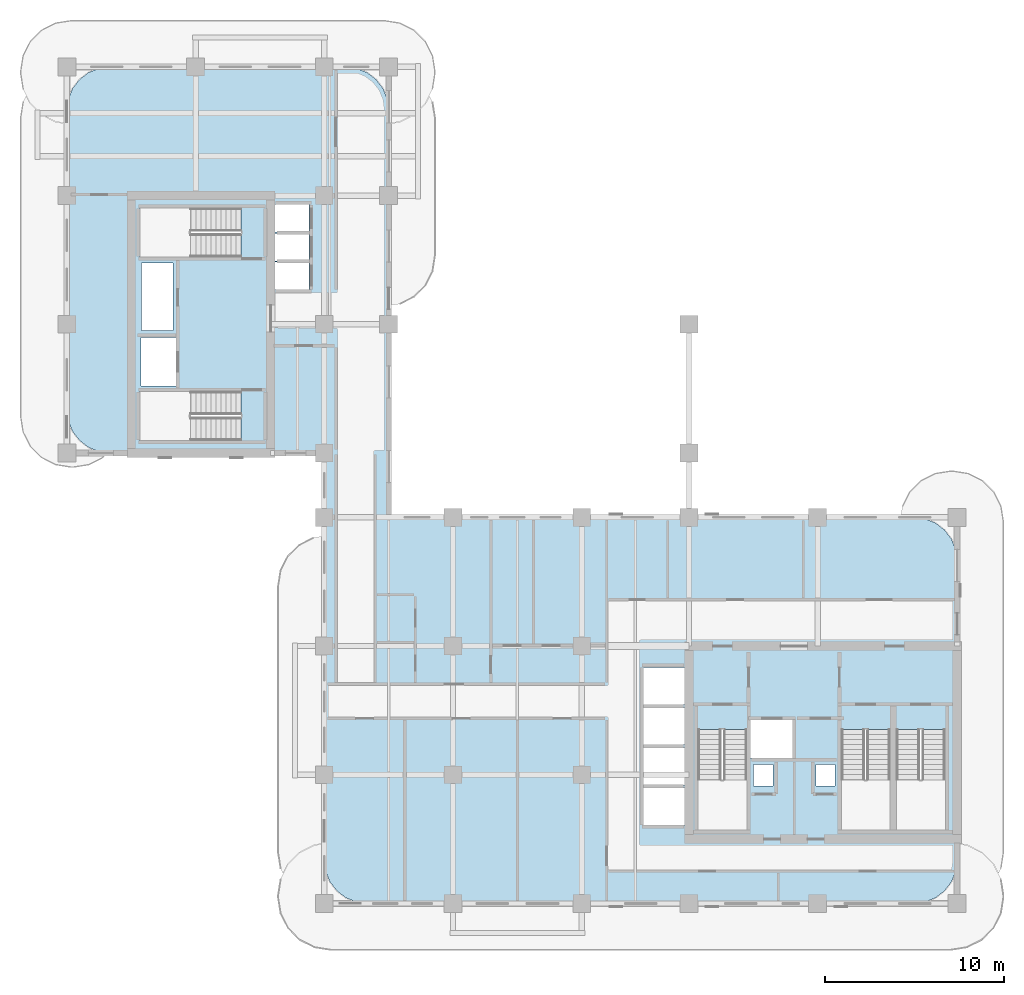
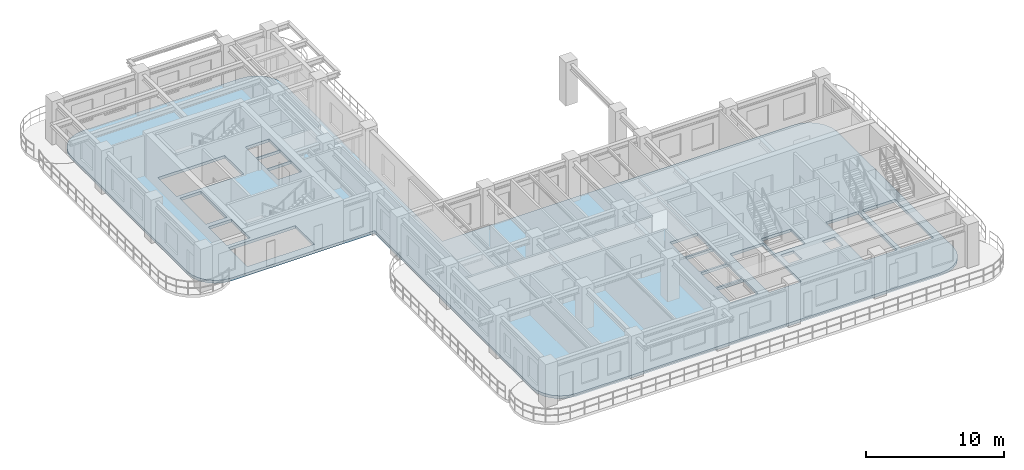
# One storey, part 3 of 15: 1 slab.
"""IFC4 building model written with IfcOpenShell, lengths in metres."""

import ifcopenshell
import ifcopenshell.guid

model = None  # the IFC model being written
_history = None  # IfcOwnerHistory: only IFC2X3 demands one
_inside = {}  # id of a spatial element -> (the spatial element, [elements in it])
_under = {}  # id of a project, library or spatial element -> (it, [spatial elements below it])
_declared = {}  # id of a project -> (the project, [libraries it declares])
_typed = {}  # id of a type object -> (the type object, [elements of that type])
_made_of = {}  # id of a material, layer set ... -> (it, [elements and type objects made of it])


def new_model(schema):
    """Start an empty IFC model of exactly this schema.

    Asked for "IFC4X3", IfcOpenShell would pick the latest addendum, in which some entities
    have other attributes; the version numbers below select the first issue.
    IFC2X3 requires an IfcOwnerHistory on every rooted entity: one is made here for all.
    """
    global model, _history
    if schema == "IFC4X3":
        model = ifcopenshell.file(schema_version=(4, 3, 0, 0))
    else:
        model = ifcopenshell.file(schema=schema)
    _inside.clear()
    _under.clear()
    _declared.clear()
    _typed.clear()
    _made_of.clear()
    _history = None
    if model.schema == "IFC2X3":
        org = make("IfcOrganization", Name="unknown")
        user = make(
            "IfcPersonAndOrganization",
            ThePerson=make("IfcPerson", FamilyName="unknown"),
            TheOrganization=org,
        )
        app = make(
            "IfcApplication",
            ApplicationDeveloper=org,
            Version="unknown",
            ApplicationFullName="unknown",
            ApplicationIdentifier="unknown",
        )
        _history = make(
            "IfcOwnerHistory",
            OwningUser=user,
            OwningApplication=app,
            ChangeAction="ADDED",
            CreationDate=0,
        )
    return model


def make(cls, **values):
    """One entity of the class cls with the attributes given. An attribute that is None is left unset."""
    return model.create_entity(
        cls, **{name: value for name, value in values.items() if value is not None}
    )


def rooted(cls, **values):
    """An entity with a GlobalId (a new one), such as an element, a storey or a relation."""
    return make(cls, GlobalId=ifcopenshell.guid.new(), OwnerHistory=_history, **values)


def si_unit(unit_type, name, prefix=None):
    """IfcSIUnit, for example si_unit("LENGTHUNIT", "METRE", prefix="MILLI")."""
    return make("IfcSIUnit", UnitType=unit_type, Prefix=prefix, Name=name)


def derived_unit(unit_type, elements):
    """IfcDerivedUnit: a product of units, each with its exponent."""
    return make(
        "IfcDerivedUnit",
        Elements=[
            make("IfcDerivedUnitElement", Unit=unit, Exponent=power)
            for unit, power in elements
        ],
        UnitType=unit_type,
    )


def assignment(units):
    """IfcUnitAssignment: the units of a project."""
    return None if units is None else make("IfcUnitAssignment", Units=units)


def point(xyz):
    """IfcCartesianPoint."""
    return None if xyz is None else make("IfcCartesianPoint", Coordinates=xyz)


def direction(xyz):
    """IfcDirection."""
    return None if xyz is None else make("IfcDirection", DirectionRatios=xyz)


def frame(location, z_axis=None, x_axis=None):
    """IfcAxis2Placement3D, a coordinate frame: its origin and axes. An axis left out is left unset."""
    return make(
        "IfcAxis2Placement3D",
        Location=point(location),
        Axis=direction(z_axis),
        RefDirection=direction(x_axis),
    )


def origin():
    """The frame at (0, 0, 0) with its axes left unset."""
    return frame((0.0, 0.0, 0.0))


def place(relative_to, where):
    """IfcLocalPlacement: puts the frame where relative to a parent placement (None: the world)."""
    return make(
        "IfcLocalPlacement", PlacementRelTo=relative_to, RelativePlacement=where
    )


def context(
    kind, dimensions, precision=None, world=None, true_north=None, identifier=None
):
    """IfcGeometricRepresentationContext, for example the 3D "Model" context."""
    return make(
        "IfcGeometricRepresentationContext",
        ContextIdentifier=identifier,
        ContextType=kind,
        CoordinateSpaceDimension=dimensions,
        Precision=precision,
        WorldCoordinateSystem=world,
        TrueNorth=true_north,
    )


def subcontext(parent, identifier, kind, view, scale=None):
    """IfcGeometricRepresentationSubContext, for example "Body" below "Model"."""
    return make(
        "IfcGeometricRepresentationSubContext",
        ContextIdentifier=identifier,
        ContextType=kind,
        ParentContext=parent,
        TargetScale=scale,
        TargetView=view,
    )


def project(units=None, contexts=None):
    """IfcProject with its units and contexts."""
    return rooted(
        "IfcProject",
        Name="project",
        RepresentationContexts=contexts,
        UnitsInContext=assignment(units),
    )


def spatial(cls, under=None, at=None, **own):
    """A site, building, storey or space (cls), placed at a placement, below another one or the project."""
    s = rooted(cls, ObjectPlacement=at, **own)
    if under is not None:
        _under.setdefault(under.id(), (under, []))[1].append(s)
    return s


def polyline(points):
    """IfcPolyline through the points."""
    return make("IfcPolyline", Points=[point(p) for p in points])


def outline(outer, holes=None, kind="AREA"):
    """IfcArbitraryClosedProfileDef: a profile drawn as a closed curve; with holes, ...WithVoids."""
    if holes is None:
        return make("IfcArbitraryClosedProfileDef", ProfileType=kind, OuterCurve=outer)
    return make(
        "IfcArbitraryProfileDefWithVoids",
        ProfileType=kind,
        OuterCurve=outer,
        InnerCurves=holes,
    )


def extrude(swept, where, along, depth):
    """IfcExtrudedAreaSolid: the profile swept, set in the frame where, extruded along a direction by depth."""
    return make(
        "IfcExtrudedAreaSolid",
        SweptArea=swept,
        Position=where,
        ExtrudedDirection=direction(along),
        Depth=depth,
    )


def shape(context_of_items, identifier, shape_type, items):
    """IfcShapeRepresentation: the items that make up one representation, for example the "Body"."""
    return make(
        "IfcShapeRepresentation",
        ContextOfItems=context_of_items,
        RepresentationIdentifier=identifier,
        RepresentationType=shape_type,
        Items=items,
    )


def material(Name=None, Category=None):
    """IfcMaterial."""
    return make("IfcMaterial", Name=Name, Category=Category)


def layer(
    of_material, thickness, ventilated=None, Name=None, Category=None, Priority=None
):
    """IfcMaterialLayer: one layer of a wall or slab, of a material (None: an air gap)."""
    return make(
        "IfcMaterialLayer",
        Material=of_material,
        LayerThickness=thickness,
        IsVentilated=ventilated,
        Name=Name,
        Category=Category,
        Priority=Priority,
    )


def layer_set(layers, Name=None):
    """IfcMaterialLayerSet."""
    return make("IfcMaterialLayerSet", MaterialLayers=layers, LayerSetName=Name)


def made_of(thing, what):
    """Note that an element or type object is made of a material, layer set ...; save() writes the relation."""
    if what is not None:
        _made_of.setdefault(what.id(), (what, []))[1].append(thing)
    return thing


def type_object(cls, material=None, **own):
    """A type object (cls), such as IfcWallType, which elements share."""
    return made_of(rooted(cls, **own), material)


def element(
    cls,
    number,
    at=None,
    inside=None,
    cuts=None,
    type_object=None,
    material=None,
    context=None,
    identifier="Body",
    shape_type=None,
    held_by="IfcProductDefinitionShape",
    body=None,
    shapes=None,
    **own,
):
    """One element of the class cls, such as IfcWall. Its Tag is "e" and its number.

    at: its placement. inside: the storey or other place that contains it. cuts: it is an
    opening in that element (IfcRelVoidsElement). A single representation is given by context,
    identifier, shape_type and body (its items); several are given by shapes. held_by: the class
    of the entity that holds the representations. save() writes the other relations.
    """
    e = rooted(cls, Tag="e%d" % number, ObjectPlacement=at, **own)
    if body is not None:
        shapes = [shape(context, identifier, shape_type, body)]
    if shapes is not None:
        e.Representation = make(held_by, Representations=shapes)
    if inside is not None:
        _inside.setdefault(inside.id(), (inside, []))[1].append(e)
    if cuts is not None:
        rooted(
            "IfcRelVoidsElement", RelatingBuildingElement=cuts, RelatedOpeningElement=e
        )
    if type_object is not None:
        _typed.setdefault(type_object.id(), (type_object, []))[1].append(e)
    return made_of(e, material)


def aggregate(whole, parts):
    """IfcRelAggregates: a whole, such as a stair, and the parts it consists of."""
    return rooted("IfcRelAggregates", RelatingObject=whole, RelatedObjects=parts)


def save(model, path):
    """Write the relations noted so far, then the file.

    IfcRelAggregates (storeys below a building ...), IfcRelContainedInSpatialStructure (elements
    in a storey), IfcRelDefinesByType, IfcRelAssociatesMaterial and IfcRelDeclares: one each for
    every whole, place, type object, material and project.
    """
    for whole, parts in _under.values():
        aggregate(whole, parts)
    for where, things in _inside.values():
        rooted(
            "IfcRelContainedInSpatialStructure",
            RelatedElements=things,
            RelatingStructure=where,
        )
    for kind, things in _typed.values():
        rooted("IfcRelDefinesByType", RelatedObjects=things, RelatingType=kind)
    for what, things in _made_of.values():
        rooted("IfcRelAssociatesMaterial", RelatedObjects=things, RelatingMaterial=what)
    for by, libraries in _declared.values():
        rooted("IfcRelDeclares", RelatingContext=by, RelatedDefinitions=libraries)
    model.write(path)


model = new_model("IFC4")

# Units and contexts
model_context = context("Model", 3, precision=1e-05, world=origin(), true_north=direction((0.0, 1.0)))
body_context = subcontext(model_context, "Body", "Model", "MODEL_VIEW")
ifc_project = project(units=[si_unit("LENGTHUNIT", "METRE"), si_unit("AREAUNIT", "SQUARE_METRE"), si_unit("VOLUMEUNIT", "CUBIC_METRE"), si_unit("PLANEANGLEUNIT", "RADIAN"), si_unit("MASSUNIT", "GRAM", prefix="KILO"), si_unit("THERMODYNAMICTEMPERATUREUNIT", "KELVIN"), si_unit("POWERUNIT", "WATT"), derived_unit("THERMALTRANSMITTANCEUNIT", [(si_unit("POWERUNIT", "WATT"), 1), (si_unit("AREAUNIT", "SQUARE_METRE"), -1), (si_unit("THERMODYNAMICTEMPERATUREUNIT", "KELVIN"), -1)])], contexts=[model_context])

# Site, building, storey
site_placement = place(None, origin())
site = spatial("IfcSite", under=ifc_project, at=site_placement, CompositionType="ELEMENT")
building_placement = place(site_placement, origin())
building = spatial("IfcBuilding", under=site, at=building_placement, Name="Zahravan Archway Hotel and Residences", CompositionType="ELEMENT")
storey_placement = place(building_placement, frame((0.0, 0.0, 184.949951171875)))
storey = spatial("IfcBuildingStorey", under=building, at=storey_placement, Name="L46", CompositionType="ELEMENT", Elevation=184.949951171875)

# Slab
ifc_material = material(Name="Concrete C45/55", Category="concrete")
ifc_layer = layer(ifc_material, 0.25, Name="Concrete C45/55", Category="concrete")
ifc_layer_set = layer_set([ifc_layer], Name="Concrete C45/55")
slab_type = type_object("IfcSlabType", Name="SLB-FLR-250", PredefinedType="FLOOR", material=ifc_layer_set)
slab_placement = place(storey_placement, frame((0.0, 0.0, -0.25)))
element("IfcSlab", 1, at=slab_placement, inside=storey, type_object=slab_type, Name="L46 Floor Slab LB", PredefinedType="FLOOR", context=body_context, shape_type="SweptSolid", body=[
    extrude(outline(polyline([(18.0, 21.60009765625), (18.0, 27.60009765625), (18.0, 27.699951171875), (18.0, 44.39990234375), (17.918212890625, 45.021240234375), (17.678466796875, 45.60009765625), (17.297119140625, 46.09716796875), (16.800048828125, 46.478515625), (16.22119140625, 46.71826171875), (15.60009765625, 46.800048828125), (2.39990234375, 46.800048828125), (1.77880859375, 46.71826171875), (1.199951171875, 46.478515625), (0.702880859375, 46.09716796875), (0.321533203125, 45.60009765625), (0.081787109375, 45.021240234375), (0.0, 44.39990234375), (0.0, 27.60009765625), (0.081787109375, 26.978759765625), (0.321533203125, 26.39990234375), (0.702880859375, 25.90283203125), (1.199951171875, 25.521484375), (1.77880859375, 25.28173828125), (2.39990234375, 25.199951171875), (14.39990234375, 25.199951171875), (14.39990234375, 19.199951171875), (14.39990234375, 19.10009765625), (14.39990234375, 2.39990234375), (14.481689453125, 1.77880859375), (14.721435546875, 1.199951171875), (15.102783203125, 0.702880859375), (15.60009765625, 0.321533203125), (16.1787109375, 0.081787109375), (16.800048828125, 0.0), (47.39990234375, 0.0), (48.021240234375, 0.081787109375), (48.60009765625, 0.321533203125), (49.09716796875, 0.702880859375), (49.478515625, 1.199951171875), (49.71826171875, 1.77880859375), (49.800048828125, 2.39990234375), (49.800048828125, 19.199951171875), (49.71826171875, 19.8212890625), (49.478515625, 20.39990234375), (49.09716796875, 20.897216796875), (48.60009765625, 21.278564453125), (48.021240234375, 21.518310546875), (47.39990234375, 21.60009765625), (18.0, 21.60009765625)]), holes=[polyline([(35.300048828125, 9.72998046875), (35.300048828125, 4.10009765625), (38.0400390625, 4.10009765625), (38.0400390625, 9.72998046875), (35.300048828125, 9.72998046875)]), polyline([(43.320068359375, 9.72998046875), (43.320068359375, 4.10009765625), (46.06005859375, 4.10009765625), (46.06005859375, 9.72998046875), (43.320068359375, 9.72998046875)]), polyline([(46.39990234375, 9.72998046875), (46.39990234375, 4.10009765625), (49.139892578125, 4.10009765625), (49.139892578125, 9.72998046875), (46.39990234375, 9.72998046875)]), polyline([(9.72998046875, 28.639892578125), (4.10009765625, 28.639892578125), (4.10009765625, 25.89990234375), (9.72998046875, 25.89990234375), (9.72998046875, 28.639892578125)]), polyline([(9.72998046875, 38.89990234375), (4.10009765625, 38.89990234375), (4.10009765625, 36.159912109375), (9.72998046875, 36.159912109375), (9.72998046875, 38.89990234375)]), polyline([(38.179931640625, 8.14990234375), (40.699951171875, 8.14990234375), (40.699951171875, 10.25), (38.179931640625, 10.25), (38.179931640625, 8.14990234375)]), polyline([(4.14990234375, 28.949951171875), (6.10009765625, 28.949951171875), (6.10009765625, 31.64990234375), (4.14990234375, 31.64990234375), (4.14990234375, 28.949951171875)]), polyline([(11.550048828125, 34.35009765625), (13.550048828125, 34.35009765625), (13.550048828125, 35.889892578125), (11.550048828125, 35.889892578125), (11.550048828125, 34.35009765625)]), polyline([(11.550048828125, 35.949951171875), (13.550048828125, 35.949951171875), (13.550048828125, 37.489990234375), (11.550048828125, 37.489990234375), (11.550048828125, 35.949951171875)]), polyline([(11.550048828125, 37.550048828125), (13.550048828125, 37.550048828125), (13.550048828125, 39.090087890625), (11.550048828125, 39.090087890625), (11.550048828125, 37.550048828125)]), polyline([(32.25, 4.39990234375), (34.550048828125, 4.39990234375), (34.550048828125, 6.47998046875), (32.25, 6.47998046875), (32.25, 4.39990234375)]), polyline([(32.25, 6.639892578125), (34.550048828125, 6.639892578125), (34.550048828125, 8.719970703125), (32.25, 8.719970703125), (32.25, 6.639892578125)]), polyline([(32.25, 8.8798828125), (34.550048828125, 8.8798828125), (34.550048828125, 10.9599609375), (32.25, 10.9599609375), (32.25, 8.8798828125)]), polyline([(32.25, 11.1201171875), (34.550048828125, 11.1201171875), (34.550048828125, 13.199951171875), (32.25, 13.199951171875), (32.25, 11.1201171875)]), polyline([(38.419921875, 6.56005859375), (39.5, 6.56005859375), (39.5, 7.780029296875), (38.419921875, 7.780029296875), (38.419921875, 6.56005859375)]), polyline([(41.89990234375, 6.56005859375), (42.9599609375, 6.56005859375), (42.9599609375, 7.780029296875), (41.89990234375, 7.780029296875), (41.89990234375, 6.56005859375)]), polyline([(4.179931640625, 32.050048828125), (5.93994140625, 32.050048828125), (5.93994140625, 35.840087890625), (4.179931640625, 35.840087890625), (4.179931640625, 32.050048828125)])]), origin(), (0.0, 0.0, 1.0), 0.25),
])

save(model, "model.ifc")
